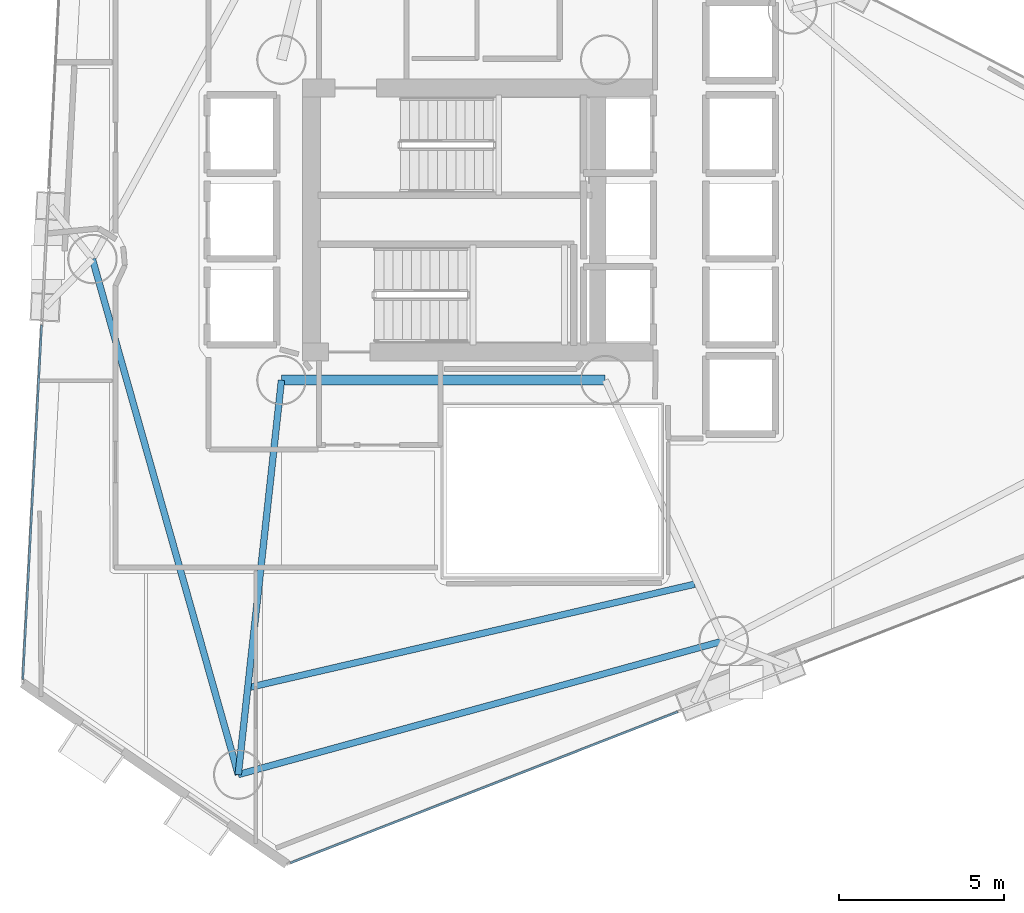
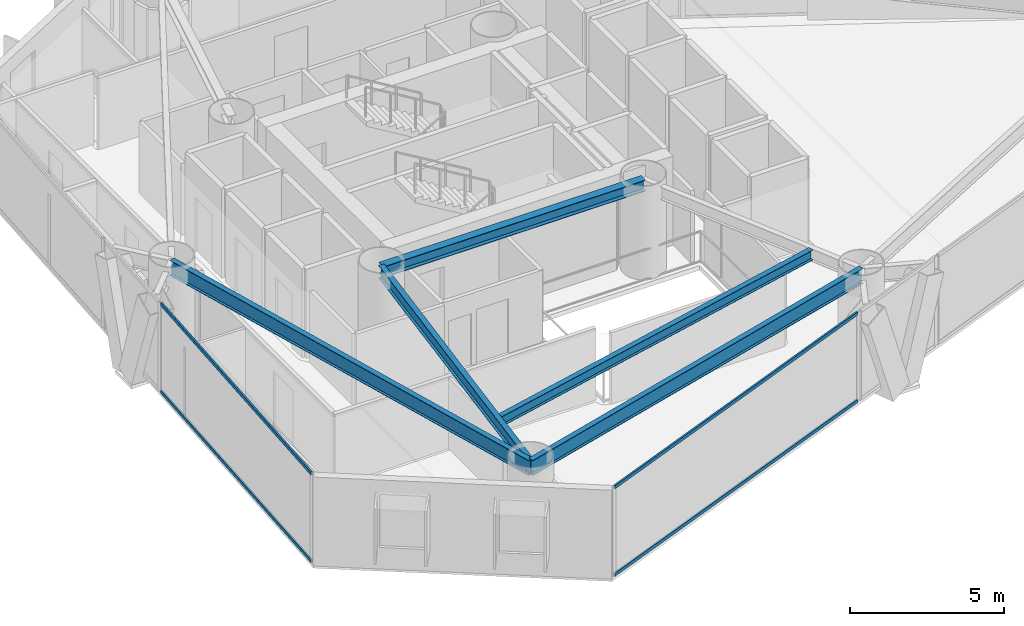
# One storey, part 3 of 21: 5 beams, 4 members, 2 elements without a shape of their own.
"""IFC4 building model written with IfcOpenShell, lengths in metres."""

from ifc_helpers import new_model, si_unit, direction, frame, origin, origin_2d, place, context, subcontext, project, spatial, hollow_rectangle, i_section, extrude, material, layer, layer_set, material_profile, profile_set, type_object, element, aggregate, save


model = new_model("IFC4")

# Units and contexts
model_context = context("Model", 3, precision=1e-05, world=origin(), true_north=direction((0.0, 1.0)))
body_context = subcontext(model_context, "Body", "Model", "MODEL_VIEW")
ifc_project = project(units=[si_unit("LENGTHUNIT", "METRE"), si_unit("AREAUNIT", "SQUARE_METRE"), si_unit("VOLUMEUNIT", "CUBIC_METRE"), si_unit("PLANEANGLEUNIT", "RADIAN"), si_unit("MASSUNIT", "GRAM", prefix="KILO")], contexts=[model_context])

# Site, building, storey
site_placement = place(None, origin())
site = spatial("IfcSite", under=ifc_project, at=site_placement, CompositionType="ELEMENT")
building_placement = place(site_placement, origin())
building = spatial("IfcBuilding", under=site, at=building_placement, Name="Qianvela Tower", CompositionType="ELEMENT")
storey_placement = place(building_placement, frame((0.0, 0.0, 131.10009765625)))
storey = spatial("IfcBuildingStorey", under=building, at=storey_placement, Name="L33", CompositionType="ELEMENT", Elevation=131.10009765625)

# Beams
ifc_material_1 = material(Name="Steel Q355B", Category="steel")
ifc_material_profile_1 = material_profile(ifc_material_1, i_section(OverallWidth=0.300048828125, OverallDepth=0.43994140625, WebThickness=0.010986328125, FlangeThickness=0.01806640625, at=origin_2d()), Name="HM440x300x11x18")
ifc_profile_set_1 = profile_set([ifc_material_profile_1], Name="Steel Q355B")
beam_type_1 = type_object("IfcBeamType", Name="BM-HM440-COLL", PredefinedType="BEAM", material=ifc_profile_set_1)
beam_1_placement = place(storey_placement, frame((28.60009765625, 23.85009765625, 3.2978515625), z_axis=(1.0, 0.0, 0.0), x_axis=(0.0, 1.0, 0.0)))
element("IfcBeam", 1, at=beam_1_placement, inside=storey, type_object=beam_type_1, Name="L33 Core Ring Collector Girder CC1", PredefinedType="BEAM", context=body_context, shape_type="SweptSolid", body=[
    extrude(i_section(OverallWidth=0.300048828125, OverallDepth=0.43994140625, WebThickness=0.010986328125, FlangeThickness=0.01806640625, at=origin_2d()), origin(), (0.0, 0.0, 1.0), 9.7998046875),
])
ifc_material_2 = material(Name="Steel Q355B", Category="steel")
ifc_material_profile_2 = material_profile(ifc_material_2, i_section(OverallWidth=0.199951171875, OverallDepth=0.39990234375, WebThickness=0.008056640625, FlangeThickness=0.012939453125, at=origin_2d()), Name="HN400x200x8x13")
ifc_profile_set_2 = profile_set([ifc_material_profile_2], Name="Steel Q355B")
beam_type_2 = type_object("IfcBeamType", Name="BM-HN400-JOIST", PredefinedType="JOIST", material=ifc_profile_set_2)
beam_2_placement = place(storey_placement, frame((27.67333984375, 14.5576171875, 3.31787109375), z_axis=(0.974157898668, 0.225868077567, 0.0), x_axis=(-0.225868077567, 0.974157898668, 0.0)))
element("IfcBeam", 2, at=beam_2_placement, inside=storey, type_object=beam_type_2, Name="L33 Secondary Composite Floor Joist 5.3", PredefinedType="JOIST", context=body_context, shape_type="SweptSolid", body=[
    extrude(i_section(OverallWidth=0.199951171875, OverallDepth=0.39990234375, WebThickness=0.008056640625, FlangeThickness=0.012939453125, at=origin_2d()), origin(), (0.0, 0.0, 1.0), 13.787841796875),
])
ifc_material_3 = material(Name="Steel Q355B", Category="steel")
ifc_material_profile_3 = material_profile(ifc_material_3, i_section(OverallWidth=0.199951171875, OverallDepth=0.5, WebThickness=0.010009765625, FlangeThickness=0.01611328125, at=origin_2d()), Name="HN500x200x10x16")
ifc_profile_set_3 = profile_set([ifc_material_profile_3], Name="Steel Q355B")
beam_type_3 = type_object("IfcBeamType", Name="BM-HN500-GIRD", PredefinedType="BEAM", material=ifc_profile_set_3)
beam_3_placement = place(storey_placement, frame((28.60009765625, 23.85009765625, 3.267822265625), z_axis=(-0.108894474914, -0.994053315136, 0.0), x_axis=(0.994053315136, -0.108894474914, 0.0)))
element("IfcBeam", 3, at=beam_3_placement, inside=storey, type_object=beam_type_3, Name="L33 Radial Primary Floor Girder 5", PredefinedType="BEAM", context=body_context, shape_type="SweptSolid", body=[
    extrude(i_section(OverallWidth=0.199951171875, OverallDepth=0.5, WebThickness=0.010009765625, FlangeThickness=0.01611328125, at=origin_2d()), origin(), (0.0, 0.0, 1.0), 12.0126953125),
])
ifc_material_4 = material(Name="Steel Q355B", Category="steel")
ifc_material_profile_4 = material_profile(ifc_material_4, i_section(OverallWidth=0.199951171875, OverallDepth=0.60009765625, WebThickness=0.010986328125, FlangeThickness=0.01708984375, at=origin_2d()), Name="HN600x200x11x17")
ifc_profile_set_4 = profile_set([ifc_material_profile_4], Name="Steel Q355B")
beam_type_4 = type_object("IfcBeamType", Name="BM-HN600-GIRD", PredefinedType="BEAM", material=ifc_profile_set_4)
beam_4_placement = place(storey_placement, frame((22.8779296875, 27.51611328125, 3.218017578125), z_axis=(0.272147602289, -0.962255518336, 0.0), x_axis=(0.962255518336, 0.272147602289, 0.0)))
element("IfcBeam", 4, at=beam_4_placement, inside=storey, type_object=beam_type_4, Name="L33 Perimeter Ring Spandrel Girder 4", PredefinedType="BEAM", context=body_context, shape_type="SweptSolid", body=[
    extrude(i_section(OverallWidth=0.199951171875, OverallDepth=0.60009765625, WebThickness=0.010986328125, FlangeThickness=0.01708984375, at=origin_2d()), origin(), (0.0, 0.0, 1.0), 16.219482421875),
])
beam_5_placement = place(storey_placement, frame((27.2919921875, 11.908935546875, 3.218017578125), z_axis=(0.964093212083, 0.265564075912, 0.0), x_axis=(-0.265564075912, 0.964093212083, 0.0)))
element("IfcBeam", 5, at=beam_5_placement, inside=storey, type_object=beam_type_4, Name="L33 Perimeter Ring Spandrel Girder 5", PredefinedType="BEAM", context=body_context, shape_type="SweptSolid", body=[
    extrude(i_section(OverallWidth=0.199951171875, OverallDepth=0.60009765625, WebThickness=0.010986328125, FlangeThickness=0.01708984375, at=origin_2d()), origin(), (0.0, 0.0, 1.0), 15.243408203125),
])

# Curtain wall, members
ifc_material_5 = material(Name="Anodised Architectural Aluminium and Low-E Glass", Category="aluminium")
ifc_layer = layer(ifc_material_5, 0.169921875)
ifc_layer_set = layer_set([ifc_layer], Name="Anodised Architectural Aluminium and Low-E Glass")
curtain_wall_type = type_object("IfcCurtainWallType", Name="CW-COLIV-Z34", PredefinedType="USERDEFINED", material=ifc_layer_set)
curtain_wall_1_placement = place(storey_placement, origin())
curtain_wall_1 = element("IfcCurtainWall", 6, at=curtain_wall_1_placement, inside=storey, type_object=curtain_wall_type, Name="L33 CW-COLIV-Z34 Curtain Wall 04C", ObjectType="CURTAIN_WALL_SYSTEM", PredefinedType="USERDEFINED")
ifc_material_6 = material(Name="Anodised Architectural Aluminium 6063-T6", Category="aluminium")
ifc_material_profile_5 = material_profile(ifc_material_6, hollow_rectangle(XDim=0.06494140625, YDim=0.1298828125, WallThickness=0.00439453125, at=origin_2d()), Name="ALU-TRAN-65x130")
ifc_profile_set_5 = profile_set([ifc_material_profile_5], Name="Anodised Architectural Aluminium 6063-T6")
member_type = type_object("IfcMemberType", Name="CW-COLIV-Z34-TRAN", PredefinedType="USERDEFINED", material=ifc_profile_set_5)
member_1_placement = place(storey_placement, frame((21.340087890625, 25.515625, 0.032470703125), z_axis=(-0.053017036103, -0.998593607972, 0.0), x_axis=(0.998593607972, -0.053017036103, 0.0)))
member_1 = element("IfcMember", 7, at=member_1_placement, type_object=member_type, Name="CW-4 transom 1.1", ObjectType="TRANSOM", PredefinedType="USERDEFINED", context=body_context, shape_type="SweptSolid", body=[
    extrude(hollow_rectangle(XDim=0.06494140625, YDim=0.1298828125, WallThickness=0.00439453125, at=origin_2d()), origin(), (0.0, 0.0, 1.0), 10.73876953125),
])
member_2_placement = place(storey_placement, frame((21.340087890625, 25.515625, 3.4873046875), z_axis=(-0.053017036103, -0.998593607972, 0.0), x_axis=(0.998593607972, -0.053017036103, 0.0)))
member_2 = element("IfcMember", 8, at=member_2_placement, type_object=member_type, Name="CW-4 transom 1.2", ObjectType="TRANSOM", PredefinedType="USERDEFINED", context=body_context, shape_type="SweptSolid", body=[
    extrude(hollow_rectangle(XDim=0.06494140625, YDim=0.1298828125, WallThickness=0.00439453125, at=origin_2d()), origin(), (0.0, 0.0, 1.0), 10.73876953125),
])
aggregate(curtain_wall_1, [member_1, member_2])

curtain_wall_2_placement = place(storey_placement, origin())
curtain_wall_2 = element("IfcCurtainWall", 9, at=curtain_wall_2_placement, inside=storey, type_object=curtain_wall_type, Name="L33 CW-COLIV-Z34 Curtain Wall 06A", ObjectType="CURTAIN_WALL_SYSTEM", PredefinedType="USERDEFINED")
member_3_placement = place(storey_placement, frame((28.87255859375, 9.235595703125, 0.032470703125), z_axis=(0.93160967752, 0.363460326242, 0.0), x_axis=(-0.363460326242, 0.93160967752, 0.0)))
member_3 = element("IfcMember", 10, at=member_3_placement, type_object=member_type, Name="CW-4 transom 1.1", ObjectType="TRANSOM", PredefinedType="USERDEFINED", context=body_context, shape_type="SweptSolid", body=[
    extrude(hollow_rectangle(XDim=0.06494140625, YDim=0.1298828125, WallThickness=0.00439453125, at=origin_2d()), origin(), (0.0, 0.0, 1.0), 12.579833984375),
])
member_4_placement = place(storey_placement, frame((28.87255859375, 9.235595703125, 3.4873046875), z_axis=(0.93160967752, 0.363460326242, 0.0), x_axis=(-0.363460326242, 0.93160967752, 0.0)))
member_4 = element("IfcMember", 11, at=member_4_placement, type_object=member_type, Name="CW-4 transom 1.2", ObjectType="TRANSOM", PredefinedType="USERDEFINED", context=body_context, shape_type="SweptSolid", body=[
    extrude(hollow_rectangle(XDim=0.06494140625, YDim=0.1298828125, WallThickness=0.00439453125, at=origin_2d()), origin(), (0.0, 0.0, 1.0), 12.579833984375),
])
aggregate(curtain_wall_2, [member_3, member_4])

save(model, "model.ifc")
